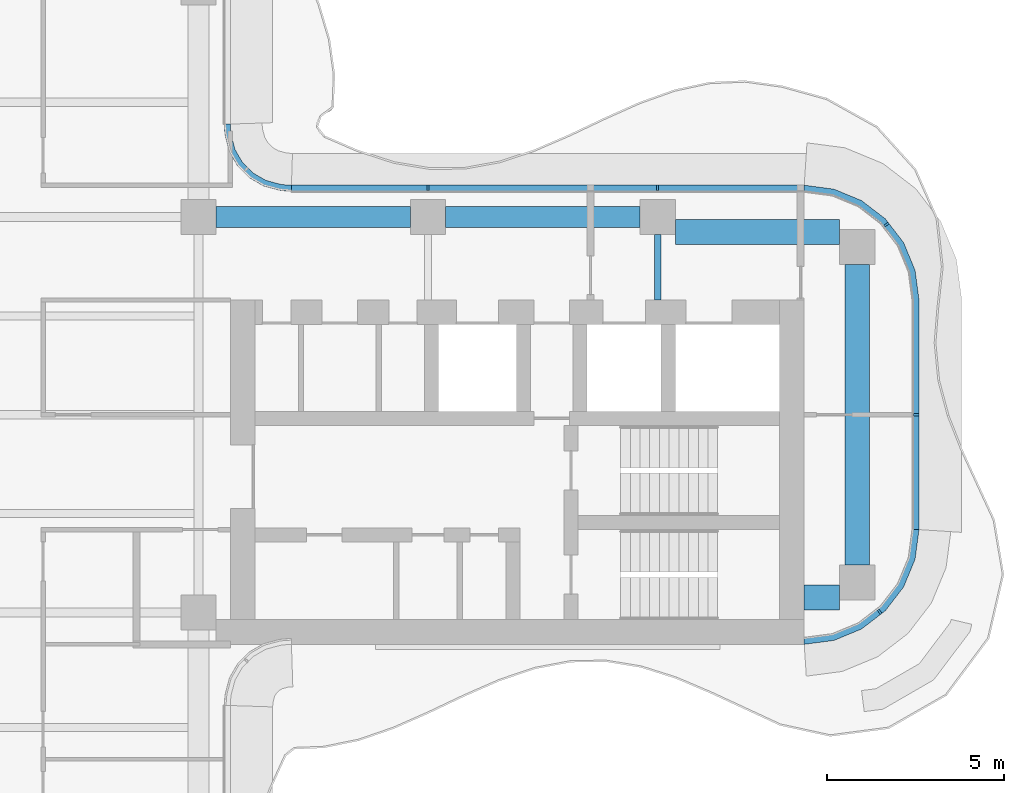
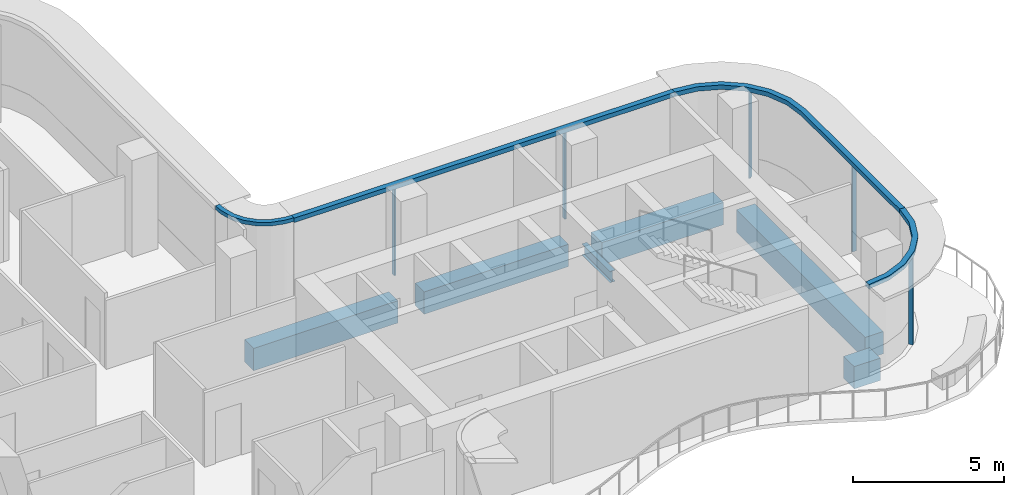
# One storey, part 6 of 16: 9 members, 6 beams, 4 elements without a shape of their own.
"""IFC4 building model written with IfcOpenShell, lengths in metres."""

from ifc_helpers import new_model, si_unit, direction, frame, origin, origin_2d, place, context, subcontext, project, spatial, polyline, rectangle, i_section, outline, extrude, source, transform, mapped, material, layer, layer_set, material_profile, profile_set, type_object, element, aggregate, save


model = new_model("IFC4")

# Units and contexts
model_context = context("Model", 3, precision=1e-05, world=origin(), true_north=direction((0.0, 1.0)))
body_context = subcontext(model_context, "Body", "Model", "MODEL_VIEW")
ifc_project = project(units=[si_unit("LENGTHUNIT", "METRE"), si_unit("AREAUNIT", "SQUARE_METRE"), si_unit("VOLUMEUNIT", "CUBIC_METRE"), si_unit("PLANEANGLEUNIT", "RADIAN"), si_unit("MASSUNIT", "GRAM", prefix="KILO")], contexts=[model_context])

# Site, building, storey
site_placement = place(None, origin())
site = spatial("IfcSite", under=ifc_project, at=site_placement, CompositionType="ELEMENT")
building_placement = place(site_placement, origin())
building = spatial("IfcBuilding", under=site, at=building_placement, Name="Trellis Farm Tower", CompositionType="ELEMENT")
storey_placement = place(building_placement, frame((0.0, 0.0, 298.89990234375)))
storey = spatial("IfcBuildingStorey", under=building, at=storey_placement, Name="L67", CompositionType="ELEMENT", Elevation=298.89990234375)

# Beams
ifc_material_1 = material(Name="Steel S355", Category="steel")
ifc_material_profile_1 = material_profile(ifc_material_1, i_section(OverallWidth=0.1904296875, OverallDepth=0.45703125, WebThickness=0.009033203125, FlangeThickness=0.014404296875, FilletRadius=0.01025390625, at=origin_2d()), Name="UB 457x191x74")
ifc_profile_set_1 = profile_set([ifc_material_profile_1], Name="Steel S355")
beam_type_1 = type_object("IfcBeamType", Name="UB 457x191x74", PredefinedType="BEAM", material=ifc_profile_set_1)
shared_shape_1 = source(origin(), body_context, "Body", "SweptSolid", [
    extrude(i_section(OverallWidth=0.1904296875, OverallDepth=0.45703125, WebThickness=0.009033203125, FlangeThickness=0.014404296875, FilletRadius=0.01025390625, at=origin_2d()), origin(), (0.0, 0.0, 1.0), 1.85009765625),
])
beam_1_placement = place(storey_placement, frame((18.60009765625, 3.25, -0.428466796875), z_axis=(0.0, 1.0, 0.0), x_axis=(-1.0, 0.0, 0.0)))
element("IfcBeam", 1, at=beam_1_placement, inside=storey, type_object=beam_type_1, Name="Girder", PredefinedType="BEAM", context=body_context, shape_type="MappedRepresentation", body=[
    mapped(shared_shape_1, transform((0.0, 0.0, 0.0))),
])
ifc_material_2 = material(Name="Concrete C60/75", Category="concrete")
ifc_material_profile_2 = material_profile(ifc_material_2, rectangle(XDim=0.60009765625, YDim=0.89990234375, at=origin_2d()), Name="RC spandrel beam 600x900 C60/75")
ifc_profile_set_2 = profile_set([ifc_material_profile_2], Name="Concrete C60/75")
beam_type_2 = type_object("IfcBeamType", Name="RC spandrel beam 600x900 C60/75", PredefinedType="SPANDREL", material=ifc_profile_set_2)
shared_shape_2 = source(origin(), body_context, "Body", "SweptSolid", [
    extrude(rectangle(XDim=0.60009765625, YDim=0.89990234375, at=origin_2d()), origin(), (0.0, 0.0, 1.0), 5.5),
])
for number, where, z_axis, x_axis, name in (
    (2, (6.10009765625, 5.60009765625, -0.64990234375), (1.0, 0.0, 0.0), (0.0, 1.0, 0.0), "Girder"),
    (3, (12.60009765625, 5.60009765625, -0.64990234375), (1.0, 0.0, 0.0), (0.0, 1.0, 0.0), "Girder"),
):
    element("IfcBeam", number, at=place(storey_placement, frame(where, z_axis=z_axis, x_axis=x_axis)), inside=storey, type_object=beam_type_2, Name=name, PredefinedType="SPANDREL", context=body_context, shape_type="MappedRepresentation", body=[
        mapped(shared_shape_2, transform((0.0, 0.0, 0.0))),
    ])
ifc_material_profile_3 = material_profile(ifc_material_2, rectangle(XDim=0.699951171875, YDim=0.89990234375, at=origin_2d()), Name="RC spandrel beam 700x900 C60/75")
ifc_profile_set_3 = profile_set([ifc_material_profile_3], Name="Concrete C60/75")
beam_type_3 = type_object("IfcBeamType", Name="RC spandrel beam 700x900 C60/75", PredefinedType="SPANDREL", material=ifc_profile_set_3)
shared_shape_3 = source(origin(), body_context, "Body", "SweptSolid", [
    extrude(rectangle(XDim=0.699951171875, YDim=0.89990234375, at=origin_2d()), origin(), (0.0, 0.0, 1.0), 1.0),
])
beam_2_placement = place(storey_placement, frame((22.75, -5.175048828125, -0.64990234375), z_axis=(1.0, 0.0, 0.0), x_axis=(0.0, 1.0, 0.0)))
element("IfcBeam", 4, at=beam_2_placement, inside=storey, type_object=beam_type_3, Name="Girder", PredefinedType="SPANDREL", context=body_context, shape_type="MappedRepresentation", body=[
    mapped(shared_shape_3, transform((0.0, 0.0, 0.0))),
])
shared_shape_4 = source(origin(), body_context, "Body", "SweptSolid", [
    extrude(rectangle(XDim=0.699951171875, YDim=0.89990234375, at=origin_2d()), origin(), (0.0, 0.0, 1.0), 4.64990234375),
])
beam_3_placement = place(storey_placement, frame((19.10009765625, 5.175048828125, -0.64990234375), z_axis=(1.0, 0.0, 0.0), x_axis=(0.0, 1.0, 0.0)))
element("IfcBeam", 5, at=beam_3_placement, inside=storey, type_object=beam_type_3, Name="Girder", PredefinedType="SPANDREL", context=body_context, shape_type="MappedRepresentation", body=[
    mapped(shared_shape_4, transform((0.0, 0.0, 0.0))),
])
shared_shape_5 = source(origin(), body_context, "Body", "SweptSolid", [
    extrude(rectangle(XDim=0.699951171875, YDim=0.89990234375, at=origin_2d()), origin(), (0.0, 0.0, 1.0), 8.5),
])
beam_4_placement = place(storey_placement, frame((24.25, -4.25, -0.64990234375), z_axis=(0.0, 1.0, 0.0), x_axis=(-1.0, 0.0, 0.0)))
element("IfcBeam", 6, at=beam_4_placement, inside=storey, type_object=beam_type_3, Name="Girder", PredefinedType="SPANDREL", context=body_context, shape_type="MappedRepresentation", body=[
    mapped(shared_shape_5, transform((0.0, 0.0, 0.0))),
])

# Curtain wall, member
ifc_material_3 = material(Name="Aluminium and glass curtain wall", Category="aluminium")
ifc_layer_1 = layer(ifc_material_3, 0.18994140625)
ifc_layer_set_1 = layer_set([ifc_layer_1], Name="RIBBON CURTAIN WALL CW1")
curtain_wall_type_1 = type_object("IfcCurtainWallType", Name="RIBBON CURTAIN WALL CW1", PredefinedType="NOTDEFINED", material=ifc_layer_set_1)
placement_1 = place(storey_placement, origin())
curtain_wall_1 = element("IfcCurtainWall", 7, at=placement_1, inside=storey, type_object=curtain_wall_type_1, Name="CW1 006", PredefinedType="NOTDEFINED")
ifc_material_4 = material(Name="Aluminium extrusion 6063-T6", Category="aluminium")
ifc_material_profile_4 = material_profile(ifc_material_4, rectangle(XDim=0.06005859375, YDim=0.14990234375, at=origin_2d()), Name="MULLION 60x150")
ifc_profile_set_4 = profile_set([ifc_material_profile_4], Name="Aluminium extrusion 6063-T6")
member_type_1 = type_object("IfcMemberType", Name="CW1 MULLION 60x150", PredefinedType="MULLION", material=ifc_profile_set_4)
shared_shape_6 = source(origin(), body_context, "Body", "SweptSolid", [
    extrude(rectangle(XDim=0.06005859375, YDim=0.14990234375, at=origin_2d()), origin(), (0.0, 0.0, 1.0), 3.52001953125),
])
member_1_placement = place(storey_placement, frame((24.885498046875, -5.578369140625, 0.0), z_axis=(0.0, 0.0, 1.0), x_axis=(0.793353340291, 0.608761429009, 0.0)))
member_1 = element("IfcMember", 8, at=member_1_placement, type_object=member_type_1, Name="MU1 006-01", PredefinedType="MULLION", context=body_context, shape_type="MappedRepresentation", body=[
    mapped(shared_shape_6, transform((0.0, 0.0, 0.0))),
])

# Curtain wall, members
curtain_wall_2 = element("IfcCurtainWall", 9, at=placement_1, inside=storey, type_object=curtain_wall_type_1, Name="CW1 007", PredefinedType="NOTDEFINED")
member_2_placement = place(storey_placement, frame((25.925048828125, 0.0, 0.0), z_axis=(0.0, 0.0, 1.0), x_axis=(0.0, 1.0, 0.0)))
member_2 = element("IfcMember", 10, at=member_2_placement, type_object=member_type_1, Name="MU1 007-01", PredefinedType="MULLION", context=body_context, shape_type="MappedRepresentation", body=[
    mapped(shared_shape_6, transform((0.0, 0.0, 0.0))),
])
member_3_placement = place(storey_placement, frame((25.078369140625, 5.385498046875, 0.0), z_axis=(0.0, 0.0, 1.0), x_axis=(-0.608761429009, 0.793353340291, 0.0)))
member_3 = element("IfcMember", 11, at=member_3_placement, type_object=member_type_1, Name="MU1 007-02", PredefinedType="MULLION", context=body_context, shape_type="MappedRepresentation", body=[
    mapped(shared_shape_6, transform((0.0, 0.0, 0.0))),
])

curtain_wall_3 = element("IfcCurtainWall", 12, at=placement_1, inside=storey, type_object=curtain_wall_type_1, Name="CW1 008", PredefinedType="NOTDEFINED")
member_4_placement = place(storey_placement, frame((18.60009765625, 6.425048828125, 0.0), z_axis=(0.0, 0.0, 1.0), x_axis=(-1.0, 0.0, 0.0)))
member_4 = element("IfcMember", 13, at=member_4_placement, type_object=member_type_1, Name="MU1 008-01", PredefinedType="MULLION", context=body_context, shape_type="MappedRepresentation", body=[
    mapped(shared_shape_6, transform((0.0, 0.0, 0.0))),
])
member_5_placement = place(storey_placement, frame((12.10009765625, 6.425048828125, 0.0), z_axis=(0.0, 0.0, 1.0), x_axis=(-1.0, 0.0, 0.0)))
member_5 = element("IfcMember", 14, at=member_5_placement, type_object=member_type_1, Name="MU1 008-02", PredefinedType="MULLION", context=body_context, shape_type="MappedRepresentation", body=[
    mapped(shared_shape_6, transform((0.0, 0.0, 0.0))),
])

# Curtain wall, member
ifc_layer_2 = layer(ifc_material_3, 0.166015625)
ifc_layer_set_2 = layer_set([ifc_layer_2], Name="WINTER GARDEN CURTAIN WALL CW3")
curtain_wall_type_2 = type_object("IfcCurtainWallType", Name="WINTER GARDEN CURTAIN WALL CW3", PredefinedType="NOTDEFINED", material=ifc_layer_set_2)
curtain_wall_4 = element("IfcCurtainWall", 15, at=placement_1, inside=storey, type_object=curtain_wall_type_2, Name="CW3 003", PredefinedType="NOTDEFINED")
ifc_layer_3 = layer(ifc_material_4, 0.169921875)
ifc_layer_set_3 = layer_set([ifc_layer_3], Name="Aluminium extrusion 6063-T6")
member_type_2 = type_object("IfcMemberType", Name="CW3 TRANSOM 170x150", PredefinedType="USERDEFINED", material=ifc_layer_set_3)
shared_shape_7 = source(origin(), body_context, "Body", "SweptSolid", [
    extrude(outline(polyline([(8.2314453125, 6.5), (8.01953125, 6.513916015625), (7.91552734375, 6.527587890625), (7.508544921875, 6.63671875), (7.144287109375, 6.846923828125), (6.846923828125, 7.144287109375), (6.63671875, 7.508544921875), (6.527587890625, 7.91552734375), (6.513916015625, 8.01953125), (6.5, 8.2314453125), (6.330078125, 8.225830078125), (6.3447265625, 8.0029296875), (6.360595703125, 7.88232421875), (6.478271484375, 7.44287109375), (6.7109375, 7.0400390625), (7.0400390625, 6.7109375), (7.44287109375, 6.478271484375), (7.88232421875, 6.360595703125), (8.0029296875, 6.3447265625), (8.225830078125, 6.330078125), (8.2314453125, 6.5)])), origin(), (0.0, 0.0, 1.0), 0.150146484375),
])
member_6_placement = place(storey_placement, frame((0.0, 0.0, 3.550048828125)))
member_6 = element("IfcMember", 16, at=member_6_placement, type_object=member_type_2, Name="TR3 003", ObjectType="TRANSOM", PredefinedType="USERDEFINED", context=body_context, shape_type="MappedRepresentation", body=[
    mapped(shared_shape_7, transform((0.0, 0.0, 0.0))),
])
aggregate(curtain_wall_4, [member_6])

# Member
ifc_layer_4 = layer(ifc_material_4, 0.199951171875)
ifc_layer_set_4 = layer_set([ifc_layer_4], Name="Aluminium extrusion 6063-T6")
member_type_3 = type_object("IfcMemberType", Name="CW1 TRANSOM 200x180", PredefinedType="USERDEFINED", material=ifc_layer_set_4)
shared_shape_8 = source(origin(), body_context, "Body", "SweptSolid", [
    extrude(outline(polyline([(22.75, -6.5), (23.591064453125, -6.38916015625), (24.375, -6.064697265625), (25.048095703125, -5.548095703125), (25.564697265625, -4.875), (25.88916015625, -4.091064453125), (26.0, -3.25), (25.800048828125, -3.23681640625), (25.6943359375, -4.0390625), (25.389892578125, -4.774169921875), (24.905517578125, -5.405517578125), (24.274169921875, -5.889892578125), (23.5390625, -6.1943359375), (22.73681640625, -6.300048828125), (22.75, -6.5)])), origin(), (0.0, 0.0, 1.0), 0.18017578125),
])
placement_2 = place(storey_placement, frame((0.0, 0.0, 3.52001953125)))
member_7 = element("IfcMember", 17, at=placement_2, type_object=member_type_3, Name="TR1 006", ObjectType="TRANSOM", PredefinedType="USERDEFINED", context=body_context, shape_type="MappedRepresentation", body=[
    mapped(shared_shape_8, transform((0.0, 0.0, 0.0))),
])

aggregate(curtain_wall_1, [member_1, member_7])

shared_shape_9 = source(origin(), body_context, "Body", "SweptSolid", [
    extrude(outline(polyline([(26.0, -3.25), (26.0, 3.25), (25.88916015625, 4.091064453125), (25.564697265625, 4.875), (25.048095703125, 5.548095703125), (24.375, 6.064697265625), (23.591064453125, 6.38916015625), (22.75, 6.5), (22.73681640625, 6.300048828125), (23.5390625, 6.1943359375), (24.274169921875, 5.889892578125), (24.905517578125, 5.405517578125), (25.389892578125, 4.774169921875), (25.6943359375, 4.0390625), (25.800048828125, 3.23681640625), (25.800048828125, -3.23681640625), (26.0, -3.25)])), origin(), (0.0, 0.0, 1.0), 0.18017578125),
])
member_8 = element("IfcMember", 18, at=placement_2, type_object=member_type_3, Name="TR1 007", ObjectType="TRANSOM", PredefinedType="USERDEFINED", context=body_context, shape_type="MappedRepresentation", body=[
    mapped(shared_shape_9, transform((0.0, 0.0, 0.0))),
])

aggregate(curtain_wall_2, [member_2, member_3, member_8])

shared_shape_10 = source(origin(), body_context, "Body", "SweptSolid", [
    extrude(outline(polyline([(22.75, 6.5), (8.2314453125, 6.5), (8.224853515625, 6.300048828125), (22.73681640625, 6.300048828125), (22.75, 6.5)])), origin(), (0.0, 0.0, 1.0), 0.18017578125),
])
member_9 = element("IfcMember", 19, at=placement_2, type_object=member_type_3, Name="TR1 008", ObjectType="TRANSOM", PredefinedType="USERDEFINED", context=body_context, shape_type="MappedRepresentation", body=[
    mapped(shared_shape_10, transform((0.0, 0.0, 0.0))),
])

aggregate(curtain_wall_3, [member_4, member_5, member_9])

save(model, "model.ifc")
